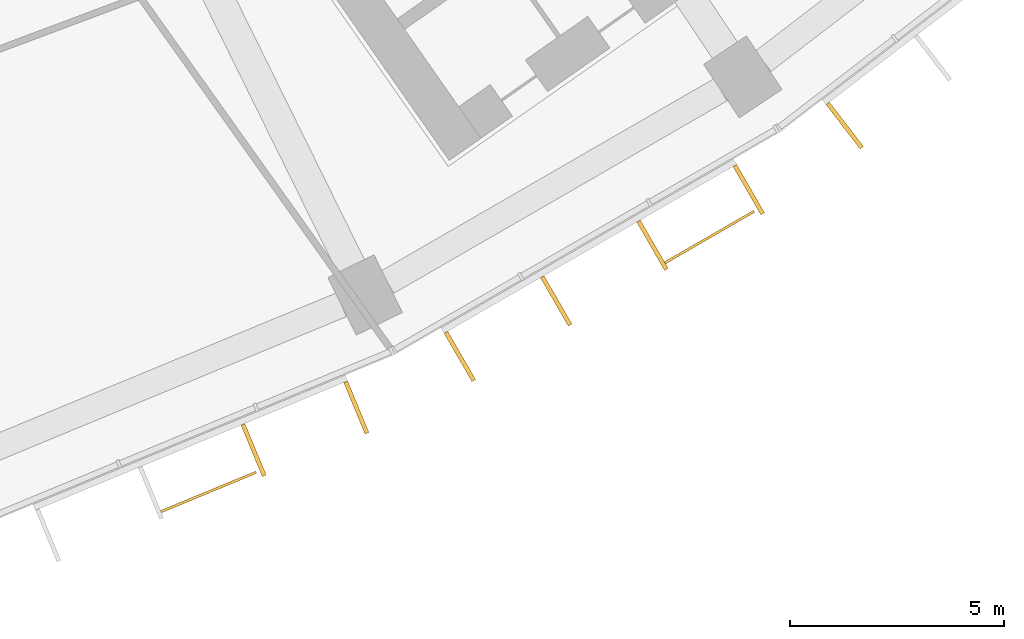
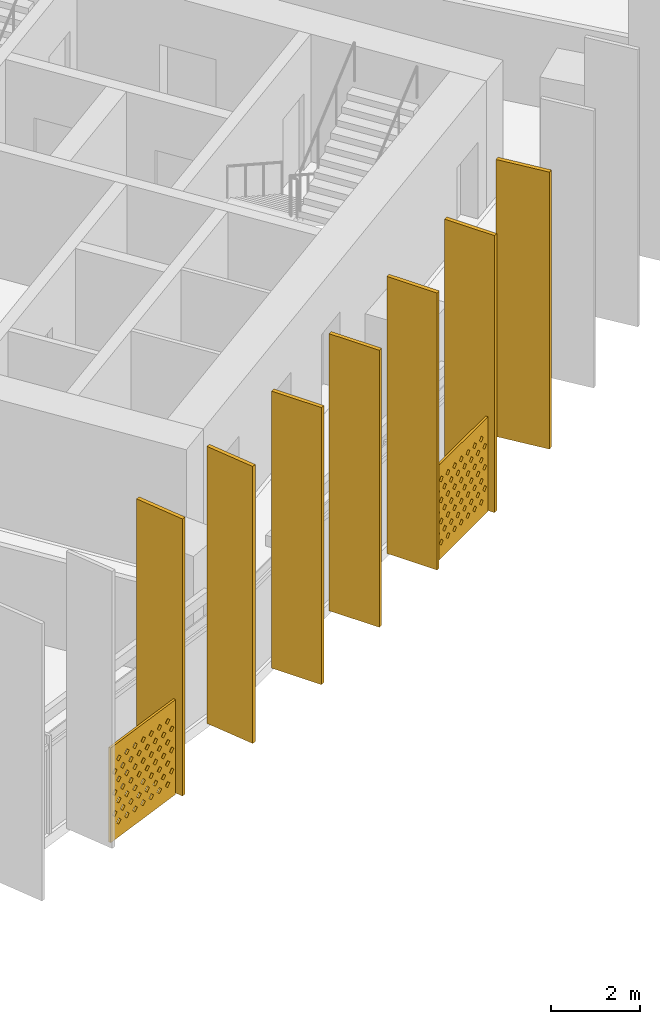
# One storey, part 28 of 30: 9 shading devices.
"""IFC4 building model written with IfcOpenShell, lengths in metres."""

from ifc_helpers import new_model, si_unit, direction, frame, origin, origin_2d, place, context, subcontext, project, spatial, polyline, rectangle, outline, extrude, material, material_profile, profile_set, type_object, element, save


model = new_model("IFC4")

# Units and contexts
model_context = context("Model", 3, precision=1e-05, world=origin(), true_north=direction((0.0, 1.0)))
body_context = subcontext(model_context, "Body", "Model", "MODEL_VIEW")
ifc_project = project(units=[si_unit("LENGTHUNIT", "METRE"), si_unit("AREAUNIT", "SQUARE_METRE"), si_unit("VOLUMEUNIT", "CUBIC_METRE"), si_unit("PLANEANGLEUNIT", "RADIAN"), si_unit("MASSUNIT", "GRAM", prefix="KILO")], contexts=[model_context])

# Site, building, storey
site_placement = place(None, origin())
site = spatial("IfcSite", under=ifc_project, at=site_placement, CompositionType="ELEMENT")
building_placement = place(site_placement, origin())
building = spatial("IfcBuilding", under=site, at=building_placement, Name="Qamariyya Broadcast Tower", CompositionType="ELEMENT")
storey_placement = place(building_placement, frame((0.0, 0.0, 102.5)))
storey = spatial("IfcBuildingStorey", under=building, at=storey_placement, Name="L22", CompositionType="ELEMENT", Elevation=102.5)

# Shading devices
ifc_material_1 = material(Name="Perforated glazed terracotta", Category="masonry")
ifc_material_profile_1 = material_profile(ifc_material_1, outline(polyline([(-1.199951171875, -1.300048828125), (1.199951171875, -1.300048828125), (1.199951171875, 1.300048828125), (-1.199951171875, 1.300048828125), (-1.199951171875, -1.300048828125)]), holes=[polyline([(-0.81494140625, -0.86669921875), (-0.89990234375, -0.78173828125), (-0.985107421875, -0.86669921875), (-0.89990234375, -0.95166015625), (-0.81494140625, -0.86669921875)]), polyline([(-0.514892578125, -0.86669921875), (-0.60009765625, -0.78173828125), (-0.68505859375, -0.86669921875), (-0.60009765625, -0.95166015625), (-0.514892578125, -0.86669921875)]), polyline([(-0.215087890625, -0.86669921875), (-0.300048828125, -0.78173828125), (-0.385009765625, -0.86669921875), (-0.300048828125, -0.95166015625), (-0.215087890625, -0.86669921875)]), polyline([(0.0849609375, -0.86669921875), (0.0, -0.78173828125), (-0.0849609375, -0.86669921875), (0.0, -0.95166015625), (0.0849609375, -0.86669921875)]), polyline([(0.385009765625, -0.86669921875), (0.300048828125, -0.78173828125), (0.215087890625, -0.86669921875), (0.300048828125, -0.95166015625), (0.385009765625, -0.86669921875)]), polyline([(0.68505859375, -0.86669921875), (0.60009765625, -0.78173828125), (0.514892578125, -0.86669921875), (0.60009765625, -0.95166015625), (0.68505859375, -0.86669921875)]), polyline([(0.985107421875, -0.86669921875), (0.89990234375, -0.78173828125), (0.81494140625, -0.86669921875), (0.89990234375, -0.95166015625), (0.985107421875, -0.86669921875)]), polyline([(-0.965087890625, -0.577880859375), (-1.050048828125, -0.49267578125), (-1.135009765625, -0.577880859375), (-1.050048828125, -0.662841796875), (-0.965087890625, -0.577880859375)]), polyline([(-0.6650390625, -0.577880859375), (-0.75, -0.49267578125), (-0.8349609375, -0.577880859375), (-0.75, -0.662841796875), (-0.6650390625, -0.577880859375)]), polyline([(-0.364990234375, -0.577880859375), (-0.449951171875, -0.49267578125), (-0.534912109375, -0.577880859375), (-0.449951171875, -0.662841796875), (-0.364990234375, -0.577880859375)]), polyline([(-0.06494140625, -0.577880859375), (-0.14990234375, -0.49267578125), (-0.235107421875, -0.577880859375), (-0.14990234375, -0.662841796875), (-0.06494140625, -0.577880859375)]), polyline([(0.235107421875, -0.577880859375), (0.14990234375, -0.49267578125), (0.06494140625, -0.577880859375), (0.14990234375, -0.662841796875), (0.235107421875, -0.577880859375)]), polyline([(0.534912109375, -0.577880859375), (0.449951171875, -0.49267578125), (0.364990234375, -0.577880859375), (0.449951171875, -0.662841796875), (0.534912109375, -0.577880859375)]), polyline([(0.8349609375, -0.577880859375), (0.75, -0.49267578125), (0.6650390625, -0.577880859375), (0.75, -0.662841796875), (0.8349609375, -0.577880859375)]), polyline([(1.135009765625, -0.577880859375), (1.050048828125, -0.49267578125), (0.965087890625, -0.577880859375), (1.050048828125, -0.662841796875), (1.135009765625, -0.577880859375)]), polyline([(-0.81494140625, -0.288818359375), (-0.89990234375, -0.203857421875), (-0.985107421875, -0.288818359375), (-0.89990234375, -0.373779296875), (-0.81494140625, -0.288818359375)]), polyline([(-0.514892578125, -0.288818359375), (-0.60009765625, -0.203857421875), (-0.68505859375, -0.288818359375), (-0.60009765625, -0.373779296875), (-0.514892578125, -0.288818359375)]), polyline([(-0.215087890625, -0.288818359375), (-0.300048828125, -0.203857421875), (-0.385009765625, -0.288818359375), (-0.300048828125, -0.373779296875), (-0.215087890625, -0.288818359375)]), polyline([(0.0849609375, -0.288818359375), (0.0, -0.203857421875), (-0.0849609375, -0.288818359375), (0.0, -0.373779296875), (0.0849609375, -0.288818359375)]), polyline([(0.385009765625, -0.288818359375), (0.300048828125, -0.203857421875), (0.215087890625, -0.288818359375), (0.300048828125, -0.373779296875), (0.385009765625, -0.288818359375)]), polyline([(0.68505859375, -0.288818359375), (0.60009765625, -0.203857421875), (0.514892578125, -0.288818359375), (0.60009765625, -0.373779296875), (0.68505859375, -0.288818359375)]), polyline([(0.985107421875, -0.288818359375), (0.89990234375, -0.203857421875), (0.81494140625, -0.288818359375), (0.89990234375, -0.373779296875), (0.985107421875, -0.288818359375)]), polyline([(-0.965087890625, 0.0), (-1.050048828125, 0.0849609375), (-1.135009765625, 0.0), (-1.050048828125, -0.0849609375), (-0.965087890625, 0.0)]), polyline([(-0.6650390625, 0.0), (-0.75, 0.0849609375), (-0.8349609375, 0.0), (-0.75, -0.0849609375), (-0.6650390625, 0.0)]), polyline([(-0.364990234375, 0.0), (-0.449951171875, 0.0849609375), (-0.534912109375, 0.0), (-0.449951171875, -0.0849609375), (-0.364990234375, 0.0)]), polyline([(-0.06494140625, 0.0), (-0.14990234375, 0.0849609375), (-0.235107421875, 0.0), (-0.14990234375, -0.0849609375), (-0.06494140625, 0.0)]), polyline([(0.235107421875, 0.0), (0.14990234375, 0.0849609375), (0.06494140625, 0.0), (0.14990234375, -0.0849609375), (0.235107421875, 0.0)]), polyline([(0.534912109375, 0.0), (0.449951171875, 0.0849609375), (0.364990234375, 0.0), (0.449951171875, -0.0849609375), (0.534912109375, 0.0)]), polyline([(0.8349609375, 0.0), (0.75, 0.0849609375), (0.6650390625, 0.0), (0.75, -0.0849609375), (0.8349609375, 0.0)]), polyline([(1.135009765625, 0.0), (1.050048828125, 0.0849609375), (0.965087890625, 0.0), (1.050048828125, -0.0849609375), (1.135009765625, 0.0)]), polyline([(-0.81494140625, 0.288818359375), (-0.89990234375, 0.373779296875), (-0.985107421875, 0.288818359375), (-0.89990234375, 0.203857421875), (-0.81494140625, 0.288818359375)]), polyline([(-0.514892578125, 0.288818359375), (-0.60009765625, 0.373779296875), (-0.68505859375, 0.288818359375), (-0.60009765625, 0.203857421875), (-0.514892578125, 0.288818359375)]), polyline([(-0.215087890625, 0.288818359375), (-0.300048828125, 0.373779296875), (-0.385009765625, 0.288818359375), (-0.300048828125, 0.203857421875), (-0.215087890625, 0.288818359375)]), polyline([(0.0849609375, 0.288818359375), (0.0, 0.373779296875), (-0.0849609375, 0.288818359375), (0.0, 0.203857421875), (0.0849609375, 0.288818359375)]), polyline([(0.385009765625, 0.288818359375), (0.300048828125, 0.373779296875), (0.215087890625, 0.288818359375), (0.300048828125, 0.203857421875), (0.385009765625, 0.288818359375)]), polyline([(0.68505859375, 0.288818359375), (0.60009765625, 0.373779296875), (0.514892578125, 0.288818359375), (0.60009765625, 0.203857421875), (0.68505859375, 0.288818359375)]), polyline([(0.985107421875, 0.288818359375), (0.89990234375, 0.373779296875), (0.81494140625, 0.288818359375), (0.89990234375, 0.203857421875), (0.985107421875, 0.288818359375)]), polyline([(-0.965087890625, 0.577880859375), (-1.050048828125, 0.662841796875), (-1.135009765625, 0.577880859375), (-1.050048828125, 0.49267578125), (-0.965087890625, 0.577880859375)]), polyline([(-0.6650390625, 0.577880859375), (-0.75, 0.662841796875), (-0.8349609375, 0.577880859375), (-0.75, 0.49267578125), (-0.6650390625, 0.577880859375)]), polyline([(-0.364990234375, 0.577880859375), (-0.449951171875, 0.662841796875), (-0.534912109375, 0.577880859375), (-0.449951171875, 0.49267578125), (-0.364990234375, 0.577880859375)]), polyline([(-0.06494140625, 0.577880859375), (-0.14990234375, 0.662841796875), (-0.235107421875, 0.577880859375), (-0.14990234375, 0.49267578125), (-0.06494140625, 0.577880859375)]), polyline([(0.235107421875, 0.577880859375), (0.14990234375, 0.662841796875), (0.06494140625, 0.577880859375), (0.14990234375, 0.49267578125), (0.235107421875, 0.577880859375)]), polyline([(0.534912109375, 0.577880859375), (0.449951171875, 0.662841796875), (0.364990234375, 0.577880859375), (0.449951171875, 0.49267578125), (0.534912109375, 0.577880859375)]), polyline([(0.8349609375, 0.577880859375), (0.75, 0.662841796875), (0.6650390625, 0.577880859375), (0.75, 0.49267578125), (0.8349609375, 0.577880859375)]), polyline([(1.135009765625, 0.577880859375), (1.050048828125, 0.662841796875), (0.965087890625, 0.577880859375), (1.050048828125, 0.49267578125), (1.135009765625, 0.577880859375)]), polyline([(-0.81494140625, 0.86669921875), (-0.89990234375, 0.95166015625), (-0.985107421875, 0.86669921875), (-0.89990234375, 0.78173828125), (-0.81494140625, 0.86669921875)]), polyline([(-0.514892578125, 0.86669921875), (-0.60009765625, 0.95166015625), (-0.68505859375, 0.86669921875), (-0.60009765625, 0.78173828125), (-0.514892578125, 0.86669921875)]), polyline([(-0.215087890625, 0.86669921875), (-0.300048828125, 0.95166015625), (-0.385009765625, 0.86669921875), (-0.300048828125, 0.78173828125), (-0.215087890625, 0.86669921875)]), polyline([(0.0849609375, 0.86669921875), (0.0, 0.95166015625), (-0.0849609375, 0.86669921875), (0.0, 0.78173828125), (0.0849609375, 0.86669921875)]), polyline([(0.385009765625, 0.86669921875), (0.300048828125, 0.95166015625), (0.215087890625, 0.86669921875), (0.300048828125, 0.78173828125), (0.385009765625, 0.86669921875)]), polyline([(0.68505859375, 0.86669921875), (0.60009765625, 0.95166015625), (0.514892578125, 0.86669921875), (0.60009765625, 0.78173828125), (0.68505859375, 0.86669921875)]), polyline([(0.985107421875, 0.86669921875), (0.89990234375, 0.95166015625), (0.81494140625, 0.86669921875), (0.89990234375, 0.78173828125), (0.985107421875, 0.86669921875)])]))
ifc_profile_set_1 = profile_set([ifc_material_profile_1], Name="Perforated glazed terracotta")
shading_device_type_1 = type_object("IfcShadingDeviceType", Name="Perforated terracotta screen 2400 x 2600", PredefinedType="USERDEFINED", material=ifc_profile_set_1)
shading_device_1_placement = place(storey_placement, frame((30.724853515625, -74.2978515625, 1.35009765625), z_axis=(0.382591441855, -0.923917630863, 0.0), x_axis=(0.923917630863, 0.382591441855, 0.0)))
element("IfcShadingDevice", 1, at=shading_device_1_placement, inside=storey, type_object=shading_device_type_1, Name="e-scr-L22-12-1", ObjectType="SCREEN", PredefinedType="USERDEFINED", context=body_context, shape_type="SweptSolid", body=[
    extrude(outline(polyline([(-1.199951171875, -1.300048828125), (1.199951171875, -1.300048828125), (1.199951171875, 1.300048828125), (-1.199951171875, 1.300048828125), (-1.199951171875, -1.300048828125)]), holes=[polyline([(-0.81494140625, -0.86669921875), (-0.89990234375, -0.78173828125), (-0.985107421875, -0.86669921875), (-0.89990234375, -0.95166015625), (-0.81494140625, -0.86669921875)]), polyline([(-0.514892578125, -0.86669921875), (-0.60009765625, -0.78173828125), (-0.68505859375, -0.86669921875), (-0.60009765625, -0.95166015625), (-0.514892578125, -0.86669921875)]), polyline([(-0.215087890625, -0.86669921875), (-0.300048828125, -0.78173828125), (-0.385009765625, -0.86669921875), (-0.300048828125, -0.95166015625), (-0.215087890625, -0.86669921875)]), polyline([(0.0849609375, -0.86669921875), (0.0, -0.78173828125), (-0.0849609375, -0.86669921875), (0.0, -0.95166015625), (0.0849609375, -0.86669921875)]), polyline([(0.385009765625, -0.86669921875), (0.300048828125, -0.78173828125), (0.215087890625, -0.86669921875), (0.300048828125, -0.95166015625), (0.385009765625, -0.86669921875)]), polyline([(0.68505859375, -0.86669921875), (0.60009765625, -0.78173828125), (0.514892578125, -0.86669921875), (0.60009765625, -0.95166015625), (0.68505859375, -0.86669921875)]), polyline([(0.985107421875, -0.86669921875), (0.89990234375, -0.78173828125), (0.81494140625, -0.86669921875), (0.89990234375, -0.95166015625), (0.985107421875, -0.86669921875)]), polyline([(-0.965087890625, -0.577880859375), (-1.050048828125, -0.49267578125), (-1.135009765625, -0.577880859375), (-1.050048828125, -0.662841796875), (-0.965087890625, -0.577880859375)]), polyline([(-0.6650390625, -0.577880859375), (-0.75, -0.49267578125), (-0.8349609375, -0.577880859375), (-0.75, -0.662841796875), (-0.6650390625, -0.577880859375)]), polyline([(-0.364990234375, -0.577880859375), (-0.449951171875, -0.49267578125), (-0.534912109375, -0.577880859375), (-0.449951171875, -0.662841796875), (-0.364990234375, -0.577880859375)]), polyline([(-0.06494140625, -0.577880859375), (-0.14990234375, -0.49267578125), (-0.235107421875, -0.577880859375), (-0.14990234375, -0.662841796875), (-0.06494140625, -0.577880859375)]), polyline([(0.235107421875, -0.577880859375), (0.14990234375, -0.49267578125), (0.06494140625, -0.577880859375), (0.14990234375, -0.662841796875), (0.235107421875, -0.577880859375)]), polyline([(0.534912109375, -0.577880859375), (0.449951171875, -0.49267578125), (0.364990234375, -0.577880859375), (0.449951171875, -0.662841796875), (0.534912109375, -0.577880859375)]), polyline([(0.8349609375, -0.577880859375), (0.75, -0.49267578125), (0.6650390625, -0.577880859375), (0.75, -0.662841796875), (0.8349609375, -0.577880859375)]), polyline([(1.135009765625, -0.577880859375), (1.050048828125, -0.49267578125), (0.965087890625, -0.577880859375), (1.050048828125, -0.662841796875), (1.135009765625, -0.577880859375)]), polyline([(-0.81494140625, -0.288818359375), (-0.89990234375, -0.203857421875), (-0.985107421875, -0.288818359375), (-0.89990234375, -0.373779296875), (-0.81494140625, -0.288818359375)]), polyline([(-0.514892578125, -0.288818359375), (-0.60009765625, -0.203857421875), (-0.68505859375, -0.288818359375), (-0.60009765625, -0.373779296875), (-0.514892578125, -0.288818359375)]), polyline([(-0.215087890625, -0.288818359375), (-0.300048828125, -0.203857421875), (-0.385009765625, -0.288818359375), (-0.300048828125, -0.373779296875), (-0.215087890625, -0.288818359375)]), polyline([(0.0849609375, -0.288818359375), (0.0, -0.203857421875), (-0.0849609375, -0.288818359375), (0.0, -0.373779296875), (0.0849609375, -0.288818359375)]), polyline([(0.385009765625, -0.288818359375), (0.300048828125, -0.203857421875), (0.215087890625, -0.288818359375), (0.300048828125, -0.373779296875), (0.385009765625, -0.288818359375)]), polyline([(0.68505859375, -0.288818359375), (0.60009765625, -0.203857421875), (0.514892578125, -0.288818359375), (0.60009765625, -0.373779296875), (0.68505859375, -0.288818359375)]), polyline([(0.985107421875, -0.288818359375), (0.89990234375, -0.203857421875), (0.81494140625, -0.288818359375), (0.89990234375, -0.373779296875), (0.985107421875, -0.288818359375)]), polyline([(-0.965087890625, 0.0), (-1.050048828125, 0.0849609375), (-1.135009765625, 0.0), (-1.050048828125, -0.0849609375), (-0.965087890625, 0.0)]), polyline([(-0.6650390625, 0.0), (-0.75, 0.0849609375), (-0.8349609375, 0.0), (-0.75, -0.0849609375), (-0.6650390625, 0.0)]), polyline([(-0.364990234375, 0.0), (-0.449951171875, 0.0849609375), (-0.534912109375, 0.0), (-0.449951171875, -0.0849609375), (-0.364990234375, 0.0)]), polyline([(-0.06494140625, 0.0), (-0.14990234375, 0.0849609375), (-0.235107421875, 0.0), (-0.14990234375, -0.0849609375), (-0.06494140625, 0.0)]), polyline([(0.235107421875, 0.0), (0.14990234375, 0.0849609375), (0.06494140625, 0.0), (0.14990234375, -0.0849609375), (0.235107421875, 0.0)]), polyline([(0.534912109375, 0.0), (0.449951171875, 0.0849609375), (0.364990234375, 0.0), (0.449951171875, -0.0849609375), (0.534912109375, 0.0)]), polyline([(0.8349609375, 0.0), (0.75, 0.0849609375), (0.6650390625, 0.0), (0.75, -0.0849609375), (0.8349609375, 0.0)]), polyline([(1.135009765625, 0.0), (1.050048828125, 0.0849609375), (0.965087890625, 0.0), (1.050048828125, -0.0849609375), (1.135009765625, 0.0)]), polyline([(-0.81494140625, 0.288818359375), (-0.89990234375, 0.373779296875), (-0.985107421875, 0.288818359375), (-0.89990234375, 0.203857421875), (-0.81494140625, 0.288818359375)]), polyline([(-0.514892578125, 0.288818359375), (-0.60009765625, 0.373779296875), (-0.68505859375, 0.288818359375), (-0.60009765625, 0.203857421875), (-0.514892578125, 0.288818359375)]), polyline([(-0.215087890625, 0.288818359375), (-0.300048828125, 0.373779296875), (-0.385009765625, 0.288818359375), (-0.300048828125, 0.203857421875), (-0.215087890625, 0.288818359375)]), polyline([(0.0849609375, 0.288818359375), (0.0, 0.373779296875), (-0.0849609375, 0.288818359375), (0.0, 0.203857421875), (0.0849609375, 0.288818359375)]), polyline([(0.385009765625, 0.288818359375), (0.300048828125, 0.373779296875), (0.215087890625, 0.288818359375), (0.300048828125, 0.203857421875), (0.385009765625, 0.288818359375)]), polyline([(0.68505859375, 0.288818359375), (0.60009765625, 0.373779296875), (0.514892578125, 0.288818359375), (0.60009765625, 0.203857421875), (0.68505859375, 0.288818359375)]), polyline([(0.985107421875, 0.288818359375), (0.89990234375, 0.373779296875), (0.81494140625, 0.288818359375), (0.89990234375, 0.203857421875), (0.985107421875, 0.288818359375)]), polyline([(-0.965087890625, 0.577880859375), (-1.050048828125, 0.662841796875), (-1.135009765625, 0.577880859375), (-1.050048828125, 0.49267578125), (-0.965087890625, 0.577880859375)]), polyline([(-0.6650390625, 0.577880859375), (-0.75, 0.662841796875), (-0.8349609375, 0.577880859375), (-0.75, 0.49267578125), (-0.6650390625, 0.577880859375)]), polyline([(-0.364990234375, 0.577880859375), (-0.449951171875, 0.662841796875), (-0.534912109375, 0.577880859375), (-0.449951171875, 0.49267578125), (-0.364990234375, 0.577880859375)]), polyline([(-0.06494140625, 0.577880859375), (-0.14990234375, 0.662841796875), (-0.235107421875, 0.577880859375), (-0.14990234375, 0.49267578125), (-0.06494140625, 0.577880859375)]), polyline([(0.235107421875, 0.577880859375), (0.14990234375, 0.662841796875), (0.06494140625, 0.577880859375), (0.14990234375, 0.49267578125), (0.235107421875, 0.577880859375)]), polyline([(0.534912109375, 0.577880859375), (0.449951171875, 0.662841796875), (0.364990234375, 0.577880859375), (0.449951171875, 0.49267578125), (0.534912109375, 0.577880859375)]), polyline([(0.8349609375, 0.577880859375), (0.75, 0.662841796875), (0.6650390625, 0.577880859375), (0.75, 0.49267578125), (0.8349609375, 0.577880859375)]), polyline([(1.135009765625, 0.577880859375), (1.050048828125, 0.662841796875), (0.965087890625, 0.577880859375), (1.050048828125, 0.49267578125), (1.135009765625, 0.577880859375)]), polyline([(-0.81494140625, 0.86669921875), (-0.89990234375, 0.95166015625), (-0.985107421875, 0.86669921875), (-0.89990234375, 0.78173828125), (-0.81494140625, 0.86669921875)]), polyline([(-0.514892578125, 0.86669921875), (-0.60009765625, 0.95166015625), (-0.68505859375, 0.86669921875), (-0.60009765625, 0.78173828125), (-0.514892578125, 0.86669921875)]), polyline([(-0.215087890625, 0.86669921875), (-0.300048828125, 0.95166015625), (-0.385009765625, 0.86669921875), (-0.300048828125, 0.78173828125), (-0.215087890625, 0.86669921875)]), polyline([(0.0849609375, 0.86669921875), (0.0, 0.95166015625), (-0.0849609375, 0.86669921875), (0.0, 0.78173828125), (0.0849609375, 0.86669921875)]), polyline([(0.385009765625, 0.86669921875), (0.300048828125, 0.95166015625), (0.215087890625, 0.86669921875), (0.300048828125, 0.78173828125), (0.385009765625, 0.86669921875)]), polyline([(0.68505859375, 0.86669921875), (0.60009765625, 0.95166015625), (0.514892578125, 0.86669921875), (0.60009765625, 0.78173828125), (0.68505859375, 0.86669921875)]), polyline([(0.985107421875, 0.86669921875), (0.89990234375, 0.95166015625), (0.81494140625, 0.86669921875), (0.89990234375, 0.78173828125), (0.985107421875, 0.86669921875)])]), origin(), (0.0, 0.0, 1.0), 0.06005859375),
])
shading_device_2_placement = place(storey_placement, frame((42.405517578125, -68.355224609375, 1.35009765625), z_axis=(0.500074377092, -0.865982457891, 0.0), x_axis=(0.865982457891, 0.500074377092, 0.0)))
element("IfcShadingDevice", 2, at=shading_device_2_placement, inside=storey, type_object=shading_device_type_1, Name="e-scr-L22-13-2", ObjectType="SCREEN", PredefinedType="USERDEFINED", context=body_context, shape_type="SweptSolid", body=[
    extrude(outline(polyline([(-1.199951171875, -1.300048828125), (1.199951171875, -1.300048828125), (1.199951171875, 1.300048828125), (-1.199951171875, 1.300048828125), (-1.199951171875, -1.300048828125)]), holes=[polyline([(-0.81494140625, -0.86669921875), (-0.89990234375, -0.78173828125), (-0.985107421875, -0.86669921875), (-0.89990234375, -0.95166015625), (-0.81494140625, -0.86669921875)]), polyline([(-0.514892578125, -0.86669921875), (-0.60009765625, -0.78173828125), (-0.68505859375, -0.86669921875), (-0.60009765625, -0.95166015625), (-0.514892578125, -0.86669921875)]), polyline([(-0.215087890625, -0.86669921875), (-0.300048828125, -0.78173828125), (-0.385009765625, -0.86669921875), (-0.300048828125, -0.95166015625), (-0.215087890625, -0.86669921875)]), polyline([(0.0849609375, -0.86669921875), (0.0, -0.78173828125), (-0.0849609375, -0.86669921875), (0.0, -0.95166015625), (0.0849609375, -0.86669921875)]), polyline([(0.385009765625, -0.86669921875), (0.300048828125, -0.78173828125), (0.215087890625, -0.86669921875), (0.300048828125, -0.95166015625), (0.385009765625, -0.86669921875)]), polyline([(0.68505859375, -0.86669921875), (0.60009765625, -0.78173828125), (0.514892578125, -0.86669921875), (0.60009765625, -0.95166015625), (0.68505859375, -0.86669921875)]), polyline([(0.985107421875, -0.86669921875), (0.89990234375, -0.78173828125), (0.81494140625, -0.86669921875), (0.89990234375, -0.95166015625), (0.985107421875, -0.86669921875)]), polyline([(-0.965087890625, -0.577880859375), (-1.050048828125, -0.49267578125), (-1.135009765625, -0.577880859375), (-1.050048828125, -0.662841796875), (-0.965087890625, -0.577880859375)]), polyline([(-0.6650390625, -0.577880859375), (-0.75, -0.49267578125), (-0.8349609375, -0.577880859375), (-0.75, -0.662841796875), (-0.6650390625, -0.577880859375)]), polyline([(-0.364990234375, -0.577880859375), (-0.449951171875, -0.49267578125), (-0.534912109375, -0.577880859375), (-0.449951171875, -0.662841796875), (-0.364990234375, -0.577880859375)]), polyline([(-0.06494140625, -0.577880859375), (-0.14990234375, -0.49267578125), (-0.235107421875, -0.577880859375), (-0.14990234375, -0.662841796875), (-0.06494140625, -0.577880859375)]), polyline([(0.235107421875, -0.577880859375), (0.14990234375, -0.49267578125), (0.06494140625, -0.577880859375), (0.14990234375, -0.662841796875), (0.235107421875, -0.577880859375)]), polyline([(0.534912109375, -0.577880859375), (0.449951171875, -0.49267578125), (0.364990234375, -0.577880859375), (0.449951171875, -0.662841796875), (0.534912109375, -0.577880859375)]), polyline([(0.8349609375, -0.577880859375), (0.75, -0.49267578125), (0.6650390625, -0.577880859375), (0.75, -0.662841796875), (0.8349609375, -0.577880859375)]), polyline([(1.135009765625, -0.577880859375), (1.050048828125, -0.49267578125), (0.965087890625, -0.577880859375), (1.050048828125, -0.662841796875), (1.135009765625, -0.577880859375)]), polyline([(-0.81494140625, -0.288818359375), (-0.89990234375, -0.203857421875), (-0.985107421875, -0.288818359375), (-0.89990234375, -0.373779296875), (-0.81494140625, -0.288818359375)]), polyline([(-0.514892578125, -0.288818359375), (-0.60009765625, -0.203857421875), (-0.68505859375, -0.288818359375), (-0.60009765625, -0.373779296875), (-0.514892578125, -0.288818359375)]), polyline([(-0.215087890625, -0.288818359375), (-0.300048828125, -0.203857421875), (-0.385009765625, -0.288818359375), (-0.300048828125, -0.373779296875), (-0.215087890625, -0.288818359375)]), polyline([(0.0849609375, -0.288818359375), (0.0, -0.203857421875), (-0.0849609375, -0.288818359375), (0.0, -0.373779296875), (0.0849609375, -0.288818359375)]), polyline([(0.385009765625, -0.288818359375), (0.300048828125, -0.203857421875), (0.215087890625, -0.288818359375), (0.300048828125, -0.373779296875), (0.385009765625, -0.288818359375)]), polyline([(0.68505859375, -0.288818359375), (0.60009765625, -0.203857421875), (0.514892578125, -0.288818359375), (0.60009765625, -0.373779296875), (0.68505859375, -0.288818359375)]), polyline([(0.985107421875, -0.288818359375), (0.89990234375, -0.203857421875), (0.81494140625, -0.288818359375), (0.89990234375, -0.373779296875), (0.985107421875, -0.288818359375)]), polyline([(-0.965087890625, 0.0), (-1.050048828125, 0.0849609375), (-1.135009765625, 0.0), (-1.050048828125, -0.0849609375), (-0.965087890625, 0.0)]), polyline([(-0.6650390625, 0.0), (-0.75, 0.0849609375), (-0.8349609375, 0.0), (-0.75, -0.0849609375), (-0.6650390625, 0.0)]), polyline([(-0.364990234375, 0.0), (-0.449951171875, 0.0849609375), (-0.534912109375, 0.0), (-0.449951171875, -0.0849609375), (-0.364990234375, 0.0)]), polyline([(-0.06494140625, 0.0), (-0.14990234375, 0.0849609375), (-0.235107421875, 0.0), (-0.14990234375, -0.0849609375), (-0.06494140625, 0.0)]), polyline([(0.235107421875, 0.0), (0.14990234375, 0.0849609375), (0.06494140625, 0.0), (0.14990234375, -0.0849609375), (0.235107421875, 0.0)]), polyline([(0.534912109375, 0.0), (0.449951171875, 0.0849609375), (0.364990234375, 0.0), (0.449951171875, -0.0849609375), (0.534912109375, 0.0)]), polyline([(0.8349609375, 0.0), (0.75, 0.0849609375), (0.6650390625, 0.0), (0.75, -0.0849609375), (0.8349609375, 0.0)]), polyline([(1.135009765625, 0.0), (1.050048828125, 0.0849609375), (0.965087890625, 0.0), (1.050048828125, -0.0849609375), (1.135009765625, 0.0)]), polyline([(-0.81494140625, 0.288818359375), (-0.89990234375, 0.373779296875), (-0.985107421875, 0.288818359375), (-0.89990234375, 0.203857421875), (-0.81494140625, 0.288818359375)]), polyline([(-0.514892578125, 0.288818359375), (-0.60009765625, 0.373779296875), (-0.68505859375, 0.288818359375), (-0.60009765625, 0.203857421875), (-0.514892578125, 0.288818359375)]), polyline([(-0.215087890625, 0.288818359375), (-0.300048828125, 0.373779296875), (-0.385009765625, 0.288818359375), (-0.300048828125, 0.203857421875), (-0.215087890625, 0.288818359375)]), polyline([(0.0849609375, 0.288818359375), (0.0, 0.373779296875), (-0.0849609375, 0.288818359375), (0.0, 0.203857421875), (0.0849609375, 0.288818359375)]), polyline([(0.385009765625, 0.288818359375), (0.300048828125, 0.373779296875), (0.215087890625, 0.288818359375), (0.300048828125, 0.203857421875), (0.385009765625, 0.288818359375)]), polyline([(0.68505859375, 0.288818359375), (0.60009765625, 0.373779296875), (0.514892578125, 0.288818359375), (0.60009765625, 0.203857421875), (0.68505859375, 0.288818359375)]), polyline([(0.985107421875, 0.288818359375), (0.89990234375, 0.373779296875), (0.81494140625, 0.288818359375), (0.89990234375, 0.203857421875), (0.985107421875, 0.288818359375)]), polyline([(-0.965087890625, 0.577880859375), (-1.050048828125, 0.662841796875), (-1.135009765625, 0.577880859375), (-1.050048828125, 0.49267578125), (-0.965087890625, 0.577880859375)]), polyline([(-0.6650390625, 0.577880859375), (-0.75, 0.662841796875), (-0.8349609375, 0.577880859375), (-0.75, 0.49267578125), (-0.6650390625, 0.577880859375)]), polyline([(-0.364990234375, 0.577880859375), (-0.449951171875, 0.662841796875), (-0.534912109375, 0.577880859375), (-0.449951171875, 0.49267578125), (-0.364990234375, 0.577880859375)]), polyline([(-0.06494140625, 0.577880859375), (-0.14990234375, 0.662841796875), (-0.235107421875, 0.577880859375), (-0.14990234375, 0.49267578125), (-0.06494140625, 0.577880859375)]), polyline([(0.235107421875, 0.577880859375), (0.14990234375, 0.662841796875), (0.06494140625, 0.577880859375), (0.14990234375, 0.49267578125), (0.235107421875, 0.577880859375)]), polyline([(0.534912109375, 0.577880859375), (0.449951171875, 0.662841796875), (0.364990234375, 0.577880859375), (0.449951171875, 0.49267578125), (0.534912109375, 0.577880859375)]), polyline([(0.8349609375, 0.577880859375), (0.75, 0.662841796875), (0.6650390625, 0.577880859375), (0.75, 0.49267578125), (0.8349609375, 0.577880859375)]), polyline([(1.135009765625, 0.577880859375), (1.050048828125, 0.662841796875), (0.965087890625, 0.577880859375), (1.050048828125, 0.49267578125), (1.135009765625, 0.577880859375)]), polyline([(-0.81494140625, 0.86669921875), (-0.89990234375, 0.95166015625), (-0.985107421875, 0.86669921875), (-0.89990234375, 0.78173828125), (-0.81494140625, 0.86669921875)]), polyline([(-0.514892578125, 0.86669921875), (-0.60009765625, 0.95166015625), (-0.68505859375, 0.86669921875), (-0.60009765625, 0.78173828125), (-0.514892578125, 0.86669921875)]), polyline([(-0.215087890625, 0.86669921875), (-0.300048828125, 0.95166015625), (-0.385009765625, 0.86669921875), (-0.300048828125, 0.78173828125), (-0.215087890625, 0.86669921875)]), polyline([(0.0849609375, 0.86669921875), (0.0, 0.95166015625), (-0.0849609375, 0.86669921875), (0.0, 0.78173828125), (0.0849609375, 0.86669921875)]), polyline([(0.385009765625, 0.86669921875), (0.300048828125, 0.95166015625), (0.215087890625, 0.86669921875), (0.300048828125, 0.78173828125), (0.385009765625, 0.86669921875)]), polyline([(0.68505859375, 0.86669921875), (0.60009765625, 0.95166015625), (0.514892578125, 0.86669921875), (0.60009765625, 0.78173828125), (0.68505859375, 0.86669921875)]), polyline([(0.985107421875, 0.86669921875), (0.89990234375, 0.95166015625), (0.81494140625, 0.86669921875), (0.89990234375, 0.78173828125), (0.985107421875, 0.86669921875)])]), origin(), (0.0, 0.0, 1.0), 0.06005859375),
])
ifc_material_2 = material(Name="Glazed terracotta", Category="masonry")
ifc_material_profile_2 = material_profile(ifc_material_2, rectangle(XDim=1.300048828125, YDim=0.10009765625, at=origin_2d()))
ifc_profile_set_2 = profile_set([ifc_material_profile_2], Name="Glazed terracotta")
shading_device_type_2 = type_object("IfcShadingDeviceType", Name="Terracotta fin 100 x 1300", PredefinedType="USERDEFINED", material=ifc_profile_set_2)
for number, where, z_axis, x_axis, name in (
    (3, (31.785888671875, -73.349609375, 0.0), (0.0, 0.0, 1.0), (0.382683432365, -0.923879532511, 0.0), "e-fin-L22-12-2"),
    (4, (34.181640625, -72.357421875, 0.0), (0.0, 0.0, 1.0), (0.382683432365, -0.923879532511, 0.0), "e-fin-L22-12-3"),
    (5, (36.596435546875, -71.16650390625, 0.0), (0.0, 0.0, 1.0), (0.5, -0.866025403784, 0.0), "e-fin-L22-13-0"),
    (6, (38.84228515625, -69.869873046875, 0.0), (0.0, 0.0, 1.0), (0.5, -0.866025403784, 0.0), "e-fin-L22-13-1"),
    (7, (41.087890625, -68.5732421875, 0.0), (0.0, 0.0, 1.0), (0.5, -0.866025403784, 0.0), "e-fin-L22-13-2"),
    (8, (43.333740234375, -67.276611328125, 0.0), (0.0, 0.0, 1.0), (0.5, -0.866025403784, 0.0), "e-fin-L22-13-3"),
    (9, (45.572509765625, -65.781005859375, 0.0), (0.0, 0.0, 1.0), (0.608761429009, -0.793353340291, 0.0), "e-fin-L22-14-0"),
):
    element("IfcShadingDevice", number, at=place(storey_placement, frame(where, z_axis=z_axis, x_axis=x_axis)), inside=storey, type_object=shading_device_type_2, Name=name, ObjectType="FIN", PredefinedType="USERDEFINED", context=body_context, shape_type="SweptSolid", body=[
        extrude(rectangle(XDim=1.300048828125, YDim=0.10009765625, at=origin_2d()), origin(), (0.0, 0.0, 1.0), 7.60009765625),
    ])

save(model, "model.ifc")
